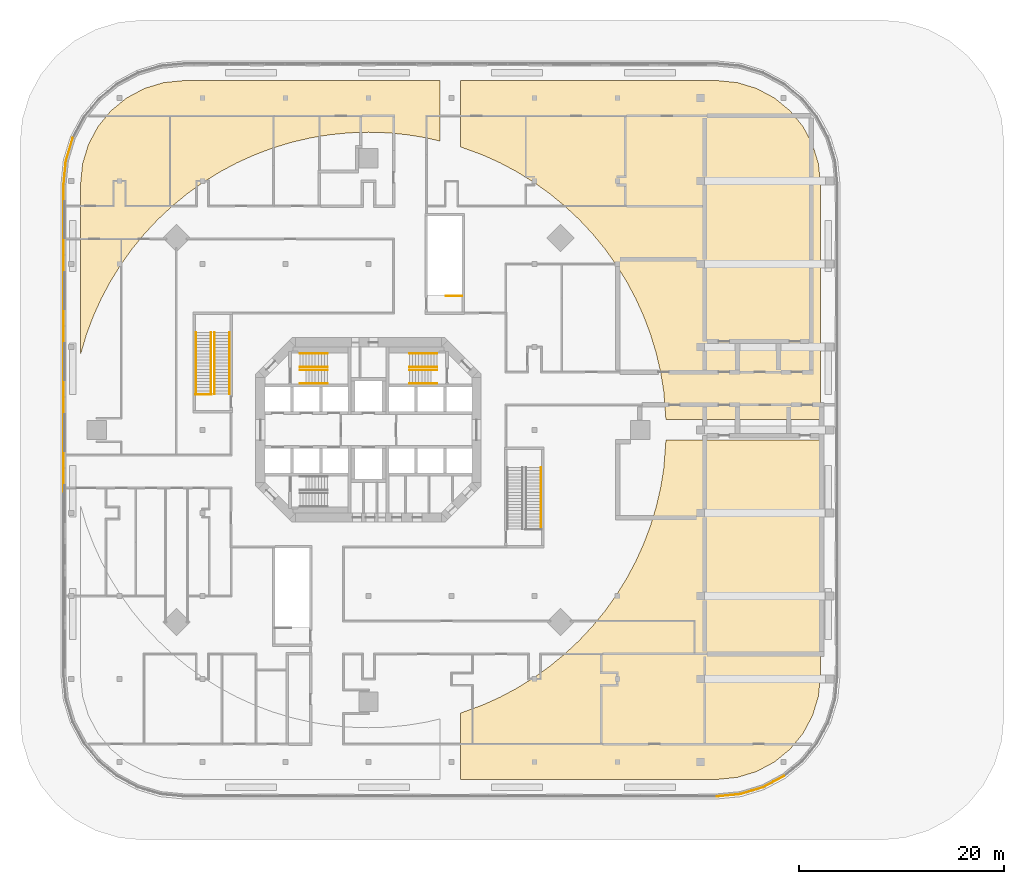
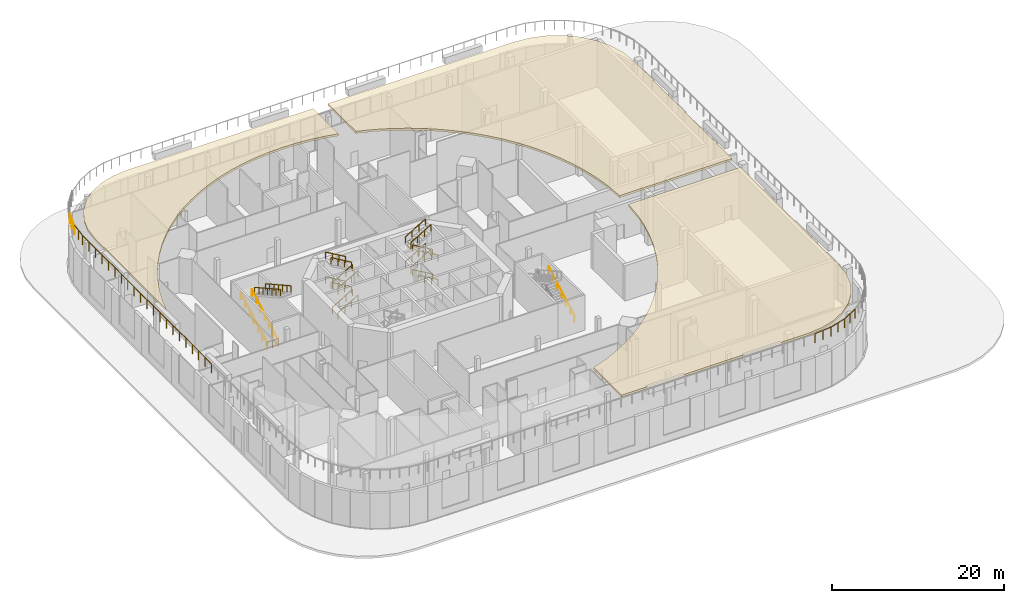
# One storey, part 16 of 17: 33 railings, 3 coverings, 2 elements without a shape of their own.
"""IFC4 building model written with IfcOpenShell, lengths in metres."""

from ifc_helpers import new_model, si_unit, direction, frame, origin, origin_2d, place, context, subcontext, project, spatial, polyline, rectangle, outline, extrude, material, layer, layer_set, type_object, element, aggregate, save


model = new_model("IFC4")

# Units and contexts
model_context = context("Model", 3, precision=1e-05, world=origin(), true_north=direction((0.0, 1.0)))
body_context = subcontext(model_context, "Body", "Model", "MODEL_VIEW")
ifc_project = project(units=[si_unit("LENGTHUNIT", "METRE"), si_unit("AREAUNIT", "SQUARE_METRE"), si_unit("VOLUMEUNIT", "CUBIC_METRE"), si_unit("PLANEANGLEUNIT", "RADIAN"), si_unit("MASSUNIT", "GRAM", prefix="KILO")], contexts=[model_context])

# Site, building, storey
site_placement = place(None, origin())
site = spatial("IfcSite", under=ifc_project, at=site_placement, CompositionType="ELEMENT")
building_placement = place(site_placement, origin())
building = spatial("IfcBuilding", under=site, at=building_placement, Name="Torre Triforio", CompositionType="ELEMENT")
storey_placement = place(building_placement, frame((0.0, 0.0, 13.0)))
storey = spatial("IfcBuildingStorey", under=building, at=storey_placement, Name="L02", CompositionType="ELEMENT", Elevation=13.0)

# Railings
ifc_material_1 = material(Name="Stainless steel AISI 316", Category="steel")
railing_type_1 = type_object("IfcRailingType", Name="HANDRAIL 920", PredefinedType="HANDRAIL", material=ifc_material_1)
for number, where, name in (
    (1, (-6.699951171875, 4.550048828125, 0.175048828125), "Handrail ST1"),
    (2, (-6.699951171875, 5.85009765625, 0.175048828125), "Handrail ST1"),
):
    element("IfcRailing", number, at=place(storey_placement, frame(where)), inside=storey, type_object=railing_type_1, Name=name, PredefinedType="HANDRAIL", context=body_context, shape_type="SweptSolid", body=[
        extrude(rectangle(XDim=0.048095703125, YDim=0.048095703125, at=origin_2d()), frame((0.0, 0.0, 0.89599609375), z_axis=(0.863781733769, 0.0, 0.503866169142), x_axis=(0.0, 1.0, 0.0)), (0.0, 0.0, 1.0), 3.125732421875),
        extrude(rectangle(XDim=0.0419921875, YDim=0.0419921875, at=origin_2d()), origin(), (0.0, 0.0, 1.0), 0.871826171875),
        extrude(rectangle(XDim=0.0419921875, YDim=0.0419921875, at=origin_2d()), frame((0.89990234375, 0.0, 0.52490234375)), (0.0, 0.0, 1.0), 0.871826171875),
        extrude(rectangle(XDim=0.0419921875, YDim=0.0419921875, at=origin_2d()), frame((1.800048828125, 0.0, 1.050048828125)), (0.0, 0.0, 1.0), 0.871826171875),
        extrude(rectangle(XDim=0.0419921875, YDim=0.0419921875, at=origin_2d()), frame((2.699951171875, 0.0, 1.574951171875)), (0.0, 0.0, 1.0), 0.871826171875),
    ])
for number, where, name in (
    (3, (-4.0, 7.449951171875, 1.925048828125), "Handrail ST1"),
    (4, (-4.0, 6.14990234375, 1.925048828125), "Handrail ST1"),
):
    element("IfcRailing", number, at=place(storey_placement, frame(where)), inside=storey, type_object=railing_type_1, Name=name, PredefinedType="HANDRAIL", context=body_context, shape_type="SweptSolid", body=[
        extrude(rectangle(XDim=0.048095703125, YDim=0.048095703125, at=origin_2d()), frame((0.0, 0.0, 0.89599609375), z_axis=(-0.863781733769, 0.0, 0.503866169142), x_axis=(0.0, -1.0, 0.0)), (0.0, 0.0, 1.0), 3.125732421875),
        extrude(rectangle(XDim=0.0419921875, YDim=0.0419921875, at=origin_2d()), origin(), (0.0, 0.0, 1.0), 0.871826171875),
        extrude(rectangle(XDim=0.0419921875, YDim=0.0419921875, at=origin_2d()), frame((-0.89990234375, 0.0, 0.52490234375)), (0.0, 0.0, 1.0), 0.871826171875),
        extrude(rectangle(XDim=0.0419921875, YDim=0.0419921875, at=origin_2d()), frame((-1.800048828125, 0.0, 1.050048828125)), (0.0, 0.0, 1.0), 0.871826171875),
        extrude(rectangle(XDim=0.0419921875, YDim=0.0419921875, at=origin_2d()), frame((-2.699951171875, 0.0, 1.574951171875)), (0.0, 0.0, 1.0), 0.871826171875),
    ])
for number, where, name in (
    (5, (-6.699951171875, 4.550048828125, 3.675048828125), "Handrail ST1"),
    (6, (-6.699951171875, 5.85009765625, 3.675048828125), "Handrail ST1"),
):
    element("IfcRailing", number, at=place(storey_placement, frame(where)), inside=storey, type_object=railing_type_1, Name=name, PredefinedType="HANDRAIL", context=body_context, shape_type="SweptSolid", body=[
        extrude(rectangle(XDim=0.048095703125, YDim=0.048095703125, at=origin_2d()), frame((0.0, 0.0, 0.89599609375), z_axis=(0.863781733769, 0.0, 0.503866169142), x_axis=(0.0, 1.0, 0.0)), (0.0, 0.0, 1.0), 3.125732421875),
        extrude(rectangle(XDim=0.0419921875, YDim=0.0419921875, at=origin_2d()), origin(), (0.0, 0.0, 1.0), 0.871826171875),
        extrude(rectangle(XDim=0.0419921875, YDim=0.0419921875, at=origin_2d()), frame((0.89990234375, 0.0, 0.52490234375)), (0.0, 0.0, 1.0), 0.871826171875),
        extrude(rectangle(XDim=0.0419921875, YDim=0.0419921875, at=origin_2d()), frame((1.800048828125, 0.0, 1.050048828125)), (0.0, 0.0, 1.0), 0.871826171875),
        extrude(rectangle(XDim=0.0419921875, YDim=0.0419921875, at=origin_2d()), frame((2.699951171875, 0.0, 1.574951171875)), (0.0, 0.0, 1.0), 0.871826171875),
    ])
for number, where, name in (
    (7, (-4.0, 7.449951171875, 5.425048828125), "Handrail ST1"),
    (8, (-4.0, 6.14990234375, 5.425048828125), "Handrail ST1"),
    (9, (6.699951171875, 4.550048828125, 0.175048828125), "Handrail ST2"),
    (10, (6.699951171875, 5.85009765625, 0.175048828125), "Handrail ST2"),
):
    element("IfcRailing", number, at=place(storey_placement, frame(where)), inside=storey, type_object=railing_type_1, Name=name, PredefinedType="HANDRAIL", context=body_context, shape_type="SweptSolid", body=[
        extrude(rectangle(XDim=0.048095703125, YDim=0.048095703125, at=origin_2d()), frame((0.0, 0.0, 0.89599609375), z_axis=(-0.863781733769, 0.0, 0.503866169142), x_axis=(0.0, -1.0, 0.0)), (0.0, 0.0, 1.0), 3.125732421875),
        extrude(rectangle(XDim=0.0419921875, YDim=0.0419921875, at=origin_2d()), origin(), (0.0, 0.0, 1.0), 0.871826171875),
        extrude(rectangle(XDim=0.0419921875, YDim=0.0419921875, at=origin_2d()), frame((-0.89990234375, 0.0, 0.52490234375)), (0.0, 0.0, 1.0), 0.871826171875),
        extrude(rectangle(XDim=0.0419921875, YDim=0.0419921875, at=origin_2d()), frame((-1.800048828125, 0.0, 1.050048828125)), (0.0, 0.0, 1.0), 0.871826171875),
        extrude(rectangle(XDim=0.0419921875, YDim=0.0419921875, at=origin_2d()), frame((-2.699951171875, 0.0, 1.574951171875)), (0.0, 0.0, 1.0), 0.871826171875),
    ])
for number, where, name in (
    (11, (4.0, 7.449951171875, 1.925048828125), "Handrail ST2"),
    (12, (4.0, 6.14990234375, 1.925048828125), "Handrail ST2"),
):
    element("IfcRailing", number, at=place(storey_placement, frame(where)), inside=storey, type_object=railing_type_1, Name=name, PredefinedType="HANDRAIL", context=body_context, shape_type="SweptSolid", body=[
        extrude(rectangle(XDim=0.048095703125, YDim=0.048095703125, at=origin_2d()), frame((0.0, 0.0, 0.89599609375), z_axis=(0.863781733769, 0.0, 0.503866169142), x_axis=(0.0, 1.0, 0.0)), (0.0, 0.0, 1.0), 3.125732421875),
        extrude(rectangle(XDim=0.0419921875, YDim=0.0419921875, at=origin_2d()), origin(), (0.0, 0.0, 1.0), 0.871826171875),
        extrude(rectangle(XDim=0.0419921875, YDim=0.0419921875, at=origin_2d()), frame((0.89990234375, 0.0, 0.52490234375)), (0.0, 0.0, 1.0), 0.871826171875),
        extrude(rectangle(XDim=0.0419921875, YDim=0.0419921875, at=origin_2d()), frame((1.800048828125, 0.0, 1.050048828125)), (0.0, 0.0, 1.0), 0.871826171875),
        extrude(rectangle(XDim=0.0419921875, YDim=0.0419921875, at=origin_2d()), frame((2.699951171875, 0.0, 1.574951171875)), (0.0, 0.0, 1.0), 0.871826171875),
    ])
for number, where, name in (
    (13, (6.699951171875, 4.550048828125, 3.675048828125), "Handrail ST2"),
    (14, (6.699951171875, 5.85009765625, 3.675048828125), "Handrail ST2"),
):
    element("IfcRailing", number, at=place(storey_placement, frame(where)), inside=storey, type_object=railing_type_1, Name=name, PredefinedType="HANDRAIL", context=body_context, shape_type="SweptSolid", body=[
        extrude(rectangle(XDim=0.048095703125, YDim=0.048095703125, at=origin_2d()), frame((0.0, 0.0, 0.89599609375), z_axis=(-0.863781733769, 0.0, 0.503866169142), x_axis=(0.0, -1.0, 0.0)), (0.0, 0.0, 1.0), 3.125732421875),
        extrude(rectangle(XDim=0.0419921875, YDim=0.0419921875, at=origin_2d()), origin(), (0.0, 0.0, 1.0), 0.871826171875),
        extrude(rectangle(XDim=0.0419921875, YDim=0.0419921875, at=origin_2d()), frame((-0.89990234375, 0.0, 0.52490234375)), (0.0, 0.0, 1.0), 0.871826171875),
        extrude(rectangle(XDim=0.0419921875, YDim=0.0419921875, at=origin_2d()), frame((-1.800048828125, 0.0, 1.050048828125)), (0.0, 0.0, 1.0), 0.871826171875),
        extrude(rectangle(XDim=0.0419921875, YDim=0.0419921875, at=origin_2d()), frame((-2.699951171875, 0.0, 1.574951171875)), (0.0, 0.0, 1.0), 0.871826171875),
    ])
for number, where, name in (
    (15, (4.0, 7.449951171875, 5.425048828125), "Handrail ST2"),
    (16, (4.0, 6.14990234375, 5.425048828125), "Handrail ST2"),
):
    element("IfcRailing", number, at=place(storey_placement, frame(where)), inside=storey, type_object=railing_type_1, Name=name, PredefinedType="HANDRAIL", context=body_context, shape_type="SweptSolid", body=[
        extrude(rectangle(XDim=0.048095703125, YDim=0.048095703125, at=origin_2d()), frame((0.0, 0.0, 0.89599609375), z_axis=(0.863781733769, 0.0, 0.503866169142), x_axis=(0.0, 1.0, 0.0)), (0.0, 0.0, 1.0), 3.125732421875),
        extrude(rectangle(XDim=0.0419921875, YDim=0.0419921875, at=origin_2d()), origin(), (0.0, 0.0, 1.0), 0.871826171875),
        extrude(rectangle(XDim=0.0419921875, YDim=0.0419921875, at=origin_2d()), frame((0.89990234375, 0.0, 0.52490234375)), (0.0, 0.0, 1.0), 0.871826171875),
        extrude(rectangle(XDim=0.0419921875, YDim=0.0419921875, at=origin_2d()), frame((1.800048828125, 0.0, 1.050048828125)), (0.0, 0.0, 1.0), 0.871826171875),
        extrude(rectangle(XDim=0.0419921875, YDim=0.0419921875, at=origin_2d()), frame((2.699951171875, 0.0, 1.574951171875)), (0.0, 0.0, 1.0), 0.871826171875),
    ])

# Coverings
ifc_material_2 = material(Name="Planted topsoil bed")
ifc_layer = layer(ifc_material_2, 0.300048828125)
ifc_layer_set = layer_set([ifc_layer], Name="Planted topsoil bed")
covering_type = type_object("IfcCoveringType", Name="Planted bed 300", PredefinedType="FLOORING", material=ifc_layer_set)
covering_1_placement = place(storey_placement, frame((0.0, 0.0, 7.0)))
element("IfcCovering", 17, at=covering_1_placement, inside=storey, type_object=covering_type, Name="Terrace T3 planted bed 2", PredefinedType="FLOORING", context=body_context, shape_type="SweptSolid", body=[
    extrude(outline(polyline([(5.66748046875, 28.492919921875), (3.7919921875, 28.802490234375), (1.89990234375, 28.989013671875), (0.0, 29.051025390625), (-1.89990234375, 28.989013671875), (-3.7919921875, 28.802490234375), (-5.66748046875, 28.492919921875), (-7.51904296875, 28.061279296875), (-9.338134765625, 27.50927734375), (-11.117431640625, 26.839599609375), (-12.84912109375, 26.05517578125), (-14.525390625, 25.158935546875), (-16.139892578125, 24.155029296875), (-17.685302734375, 23.0478515625), (-19.15478515625, 21.841796875), (-20.542236328125, 20.542236328125), (-21.841796875, 19.15478515625), (-23.0478515625, 17.685302734375), (-24.155029296875, 16.139892578125), (-25.158935546875, 14.525390625), (-26.05517578125, 12.84912109375), (-26.839599609375, 11.117431640625), (-27.50927734375, 9.338134765625), (-28.10009765625, 7.3525390625), (-28.10009765625, 23.90673828125), (-27.89697265625, 25.968505859375), (-27.32275390625, 27.861572265625), (-26.39013671875, 29.606201171875), (-25.13525390625, 31.13525390625), (-23.606201171875, 32.39013671875), (-21.861572265625, 33.32275390625), (-19.968505859375, 33.89697265625), (-17.90673828125, 34.10009765625), (7.0, 34.10009765625), (7.0, 28.18212890625), (5.66748046875, 28.492919921875)])), origin(), (0.0, 0.0, 1.0), 0.300048828125),
])
covering_2_placement = place(storey_placement, frame((0.0, 0.0, 7.0)))
element("IfcCovering", 18, at=covering_2_placement, inside=storey, type_object=covering_type, Name="Terrace T3 planted bed 3", PredefinedType="FLOORING", context=body_context, shape_type="SweptSolid", body=[
    extrude(outline(polyline([(9.0, -27.61181640625), (11.117431640625, -26.839599609375), (12.84912109375, -26.05517578125), (14.525390625, -25.158935546875), (16.139892578125, -24.155029296875), (17.685302734375, -23.0478515625), (19.15478515625, -21.841796875), (20.542236328125, -20.542236328125), (21.841796875, -19.15478515625), (23.0478515625, -17.685302734375), (24.155029296875, -16.139892578125), (25.158935546875, -14.525390625), (26.05517578125, -12.84912109375), (26.839599609375, -11.117431640625), (27.50927734375, -9.338134765625), (28.061279296875, -7.51904296875), (28.492919921875, -5.66748046875), (28.802490234375, -3.7919921875), (29.018310546875, -1.0), (44.10009765625, -1.0), (44.10009765625, -23.90673828125), (43.89697265625, -25.968505859375), (43.32275390625, -27.861572265625), (42.39013671875, -29.606201171875), (41.13525390625, -31.13525390625), (39.606201171875, -32.39013671875), (37.861572265625, -33.32275390625), (35.968505859375, -33.89697265625), (33.90673828125, -34.10009765625), (9.0, -34.10009765625), (9.0, -27.61181640625)])), origin(), (0.0, 0.0, 1.0), 0.300048828125),
])
covering_3_placement = place(storey_placement, frame((0.0, 0.0, 7.0)))
element("IfcCovering", 19, at=covering_3_placement, inside=storey, type_object=covering_type, Name="Terrace T3 planted bed 4", PredefinedType="FLOORING", context=body_context, shape_type="SweptSolid", body=[
    extrude(outline(polyline([(28.802490234375, 3.7919921875), (28.492919921875, 5.66748046875), (28.061279296875, 7.51904296875), (27.50927734375, 9.338134765625), (26.839599609375, 11.117431640625), (26.05517578125, 12.84912109375), (25.158935546875, 14.525390625), (24.155029296875, 16.139892578125), (23.0478515625, 17.685302734375), (21.841796875, 19.15478515625), (20.542236328125, 20.542236328125), (19.15478515625, 21.841796875), (17.685302734375, 23.0478515625), (16.139892578125, 24.155029296875), (14.525390625, 25.158935546875), (12.84912109375, 26.05517578125), (11.117431640625, 26.839599609375), (9.0, 27.61181640625), (9.0, 34.10009765625), (33.90673828125, 34.10009765625), (35.968505859375, 33.89697265625), (37.861572265625, 33.32275390625), (39.606201171875, 32.39013671875), (41.13525390625, 31.13525390625), (42.39013671875, 29.606201171875), (43.32275390625, 27.861572265625), (43.89697265625, 25.968505859375), (44.10009765625, 23.90673828125), (44.10009765625, 1.0), (29.018310546875, 1.0), (28.802490234375, 3.7919921875)])), origin(), (0.0, 0.0, 1.0), 0.300048828125),
])

# Stair, railings
ifc_material_3 = material(Name="Concrete C40", Category="concrete")
stair_type = type_object("IfcStairType", Name="Egress stair 1400 clear", PredefinedType="NOTDEFINED", material=ifc_material_3)
stair_1_placement = place(storey_placement, origin())
stair_1 = element("IfcStair", 20, at=stair_1_placement, inside=storey, type_object=stair_type, Name="Exit stair PS1 L02 to L03", PredefinedType="NOTDEFINED")
railing_type_2 = type_object("IfcRailingType", Name="Stair handrail 920", PredefinedType="HANDRAIL", material=ifc_material_1)
railing_1_placement = place(storey_placement, frame((-16.824951171875, 3.52490234375, 0.166748046875)))
railing_1 = element("IfcRailing", 21, at=railing_1_placement, type_object=railing_type_2, Name="Handrail PS1", PredefinedType="HANDRAIL", context=body_context, shape_type="SweptSolid", body=[
    extrude(rectangle(XDim=0.048095703125, YDim=0.048095703125, at=origin_2d()), frame((0.0, 0.0, 0.89599609375), z_axis=(0.0, 0.874162309531, 0.485633870932), x_axis=(-1.0, 0.0, 0.0)), (0.0, 0.0, 1.0), 6.86376953125),
    extrude(rectangle(XDim=0.0419921875, YDim=0.0419921875, at=origin_2d()), origin(), (0.0, 0.0, 1.0), 0.871826171875),
    extrude(rectangle(XDim=0.0419921875, YDim=0.0419921875, at=origin_2d()), frame((0.0, 1.0, 0.5556640625)), (0.0, 0.0, 1.0), 0.871826171875),
    extrude(rectangle(XDim=0.0419921875, YDim=0.0419921875, at=origin_2d()), frame((0.0, 2.0, 1.111083984375)), (0.0, 0.0, 1.0), 0.871826171875),
    extrude(rectangle(XDim=0.0419921875, YDim=0.0419921875, at=origin_2d()), frame((0.0, 3.0, 1.66650390625)), (0.0, 0.0, 1.0), 0.871826171875),
    extrude(rectangle(XDim=0.0419921875, YDim=0.0419921875, at=origin_2d()), frame((0.0, 4.0, 2.22216796875)), (0.0, 0.0, 1.0), 0.871826171875),
    extrude(rectangle(XDim=0.0419921875, YDim=0.0419921875, at=origin_2d()), frame((0.0, 5.0, 2.77783203125)), (0.0, 0.0, 1.0), 0.871826171875),
    extrude(rectangle(XDim=0.0419921875, YDim=0.0419921875, at=origin_2d()), frame((0.0, 6.0, 3.333251953125)), (0.0, 0.0, 1.0), 0.871826171875),
])
railing_2_placement = place(storey_placement, frame((-15.375, 3.52490234375, 0.166748046875)))
railing_2 = element("IfcRailing", 22, at=railing_2_placement, type_object=railing_type_2, Name="Handrail PS1", PredefinedType="HANDRAIL", context=body_context, shape_type="SweptSolid", body=[
    extrude(rectangle(XDim=0.048095703125, YDim=0.048095703125, at=origin_2d()), frame((0.0, 0.0, 0.89599609375), z_axis=(0.0, 0.874162309531, 0.485633870932), x_axis=(-1.0, 0.0, 0.0)), (0.0, 0.0, 1.0), 6.86376953125),
    extrude(rectangle(XDim=0.0419921875, YDim=0.0419921875, at=origin_2d()), origin(), (0.0, 0.0, 1.0), 0.871826171875),
    extrude(rectangle(XDim=0.0419921875, YDim=0.0419921875, at=origin_2d()), frame((0.0, 1.0, 0.5556640625)), (0.0, 0.0, 1.0), 0.871826171875),
    extrude(rectangle(XDim=0.0419921875, YDim=0.0419921875, at=origin_2d()), frame((0.0, 2.0, 1.111083984375)), (0.0, 0.0, 1.0), 0.871826171875),
    extrude(rectangle(XDim=0.0419921875, YDim=0.0419921875, at=origin_2d()), frame((0.0, 3.0, 1.66650390625)), (0.0, 0.0, 1.0), 0.871826171875),
    extrude(rectangle(XDim=0.0419921875, YDim=0.0419921875, at=origin_2d()), frame((0.0, 4.0, 2.22216796875)), (0.0, 0.0, 1.0), 0.871826171875),
    extrude(rectangle(XDim=0.0419921875, YDim=0.0419921875, at=origin_2d()), frame((0.0, 5.0, 2.77783203125)), (0.0, 0.0, 1.0), 0.871826171875),
    extrude(rectangle(XDim=0.0419921875, YDim=0.0419921875, at=origin_2d()), frame((0.0, 6.0, 3.333251953125)), (0.0, 0.0, 1.0), 0.871826171875),
])
railing_3_placement = place(storey_placement, frame((-15.02490234375, 9.52490234375, 3.666748046875)))
railing_3 = element("IfcRailing", 23, at=railing_3_placement, type_object=railing_type_2, Name="Handrail PS1", PredefinedType="HANDRAIL", context=body_context, shape_type="SweptSolid", body=[
    extrude(rectangle(XDim=0.048095703125, YDim=0.048095703125, at=origin_2d()), frame((0.0, 0.0, 0.89599609375), z_axis=(0.0, -0.874162309531, 0.485633870932), x_axis=(1.0, 0.0, 0.0)), (0.0, 0.0, 1.0), 6.86376953125),
    extrude(rectangle(XDim=0.0419921875, YDim=0.0419921875, at=origin_2d()), origin(), (0.0, 0.0, 1.0), 0.871826171875),
    extrude(rectangle(XDim=0.0419921875, YDim=0.0419921875, at=origin_2d()), frame((0.0, -1.0, 0.5556640625)), (0.0, 0.0, 1.0), 0.871826171875),
    extrude(rectangle(XDim=0.0419921875, YDim=0.0419921875, at=origin_2d()), frame((0.0, -2.0, 1.111083984375)), (0.0, 0.0, 1.0), 0.871826171875),
    extrude(rectangle(XDim=0.0419921875, YDim=0.0419921875, at=origin_2d()), frame((0.0, -3.0, 1.66650390625)), (0.0, 0.0, 1.0), 0.871826171875),
    extrude(rectangle(XDim=0.0419921875, YDim=0.0419921875, at=origin_2d()), frame((0.0, -4.0, 2.22216796875)), (0.0, 0.0, 1.0), 0.871826171875),
    extrude(rectangle(XDim=0.0419921875, YDim=0.0419921875, at=origin_2d()), frame((0.0, -5.0, 2.77783203125)), (0.0, 0.0, 1.0), 0.871826171875),
    extrude(rectangle(XDim=0.0419921875, YDim=0.0419921875, at=origin_2d()), frame((0.0, -6.0, 3.333251953125)), (0.0, 0.0, 1.0), 0.871826171875),
])
railing_4_placement = place(storey_placement, frame((-13.574951171875, 9.52490234375, 3.666748046875)))
railing_4 = element("IfcRailing", 24, at=railing_4_placement, type_object=railing_type_2, Name="Handrail PS1", PredefinedType="HANDRAIL", context=body_context, shape_type="SweptSolid", body=[
    extrude(rectangle(XDim=0.048095703125, YDim=0.048095703125, at=origin_2d()), frame((0.0, 0.0, 0.89599609375), z_axis=(0.0, -0.874162309531, 0.485633870932), x_axis=(1.0, 0.0, 0.0)), (0.0, 0.0, 1.0), 6.86376953125),
    extrude(rectangle(XDim=0.0419921875, YDim=0.0419921875, at=origin_2d()), origin(), (0.0, 0.0, 1.0), 0.871826171875),
    extrude(rectangle(XDim=0.0419921875, YDim=0.0419921875, at=origin_2d()), frame((0.0, -1.0, 0.5556640625)), (0.0, 0.0, 1.0), 0.871826171875),
    extrude(rectangle(XDim=0.0419921875, YDim=0.0419921875, at=origin_2d()), frame((0.0, -2.0, 1.111083984375)), (0.0, 0.0, 1.0), 0.871826171875),
    extrude(rectangle(XDim=0.0419921875, YDim=0.0419921875, at=origin_2d()), frame((0.0, -3.0, 1.66650390625)), (0.0, 0.0, 1.0), 0.871826171875),
    extrude(rectangle(XDim=0.0419921875, YDim=0.0419921875, at=origin_2d()), frame((0.0, -4.0, 2.22216796875)), (0.0, 0.0, 1.0), 0.871826171875),
    extrude(rectangle(XDim=0.0419921875, YDim=0.0419921875, at=origin_2d()), frame((0.0, -5.0, 2.77783203125)), (0.0, 0.0, 1.0), 0.871826171875),
    extrude(rectangle(XDim=0.0419921875, YDim=0.0419921875, at=origin_2d()), frame((0.0, -6.0, 3.333251953125)), (0.0, 0.0, 1.0), 0.871826171875),
])
aggregate(stair_1, [railing_1, railing_2, railing_3, railing_4])

# Stair, railing
stair_2_placement = place(storey_placement, origin())
stair_2 = element("IfcStair", 25, at=stair_2_placement, inside=storey, type_object=stair_type, Name="Exit stair PS2 L02 to L03", PredefinedType="NOTDEFINED")
railing_5_placement = place(storey_placement, frame((16.824951171875, -9.675048828125, 0.166748046875)))
railing_5 = element("IfcRailing", 26, at=railing_5_placement, type_object=railing_type_2, Name="Handrail PS2", PredefinedType="HANDRAIL", context=body_context, shape_type="SweptSolid", body=[
    extrude(rectangle(XDim=0.048095703125, YDim=0.048095703125, at=origin_2d()), frame((0.0, 0.0, 0.89599609375), z_axis=(0.0, 0.874162309531, 0.485633870932), x_axis=(-1.0, 0.0, 0.0)), (0.0, 0.0, 1.0), 6.86376953125),
    extrude(rectangle(XDim=0.0419921875, YDim=0.0419921875, at=origin_2d()), origin(), (0.0, 0.0, 1.0), 0.871826171875),
    extrude(rectangle(XDim=0.0419921875, YDim=0.0419921875, at=origin_2d()), frame((0.0, 1.0, 0.5556640625)), (0.0, 0.0, 1.0), 0.871826171875),
    extrude(rectangle(XDim=0.0419921875, YDim=0.0419921875, at=origin_2d()), frame((0.0, 2.0, 1.111083984375)), (0.0, 0.0, 1.0), 0.871826171875),
    extrude(rectangle(XDim=0.0419921875, YDim=0.0419921875, at=origin_2d()), frame((0.0, 3.0, 1.66650390625)), (0.0, 0.0, 1.0), 0.871826171875),
    extrude(rectangle(XDim=0.0419921875, YDim=0.0419921875, at=origin_2d()), frame((0.0, 4.0, 2.22216796875)), (0.0, 0.0, 1.0), 0.871826171875),
    extrude(rectangle(XDim=0.0419921875, YDim=0.0419921875, at=origin_2d()), frame((0.0, 5.0, 2.77783203125)), (0.0, 0.0, 1.0), 0.871826171875),
    extrude(rectangle(XDim=0.0419921875, YDim=0.0419921875, at=origin_2d()), frame((0.0, 6.0, 3.333251953125)), (0.0, 0.0, 1.0), 0.871826171875),
])
aggregate(stair_2, [railing_5])

# Railings
railing_type_3 = type_object("IfcRailingType", Name="Stair well guard 1100", PredefinedType="GUARDRAIL", material=ifc_material_1)
for number, where, name in (
    (27, (-16.875, 3.47509765625, 0.0), "Guard PS1 L02"),
    (28, (7.574951171875, 13.074951171875, 0.0), "Guard PS4 L02"),
):
    element("IfcRailing", number, at=place(storey_placement, frame(where)), inside=storey, type_object=railing_type_3, Name=name, PredefinedType="GUARDRAIL", context=body_context, shape_type="SweptSolid", body=[
        extrude(rectangle(XDim=0.048095703125, YDim=0.048095703125, at=origin_2d()), frame((0.0, 0.0, 1.076171875), z_axis=(1.0, 0.0, 0.0), x_axis=(0.0, 1.0, 0.0)), (0.0, 0.0, 1.0), 1.550048828125),
        extrude(rectangle(XDim=0.0419921875, YDim=0.0419921875, at=origin_2d()), origin(), (0.0, 0.0, 1.0), 1.052001953125),
        extrude(rectangle(XDim=0.0419921875, YDim=0.0419921875, at=origin_2d()), frame((0.77490234375, 0.0, 0.0)), (0.0, 0.0, 1.0), 1.052001953125),
        extrude(rectangle(XDim=0.0419921875, YDim=0.0419921875, at=origin_2d()), frame((1.550048828125, 0.0, 0.0)), (0.0, 0.0, 1.0), 1.052001953125),
    ])
railing_type_4 = type_object("IfcRailingType", Name="Terrace balustrade 1300", PredefinedType="BALUSTRADE", material=ifc_material_1)
railing_6_placement = place(storey_placement, frame((33.98779296875, -35.75, 7.0)))
element("IfcRailing", 29, at=railing_6_placement, inside=storey, type_object=railing_type_4, Name="Terrace T3 balustrade 01", PredefinedType="BALUSTRADE", context=body_context, shape_type="SweptSolid", body=[
    extrude(rectangle(XDim=0.050048828125, YDim=0.050048828125, at=origin_2d()), frame((0.0, 0.0, 1.27490234375), z_axis=(0.99518021916, 0.098062895086, 0.0), x_axis=(-0.098062895086, 0.99518021916, 0.0)), (0.0, 0.0, 1.0), 2.3154296875),
    extrude(rectangle(XDim=0.0400390625, YDim=0.0400390625, at=origin_2d()), origin(), (0.0, 0.0, 1.0), 1.25),
    extrude(rectangle(XDim=0.0400390625, YDim=0.0400390625, at=origin_2d()), frame((1.152099609375, 0.113525390625, 0.0)), (0.0, 0.0, 1.0), 1.25),
    extrude(rectangle(XDim=0.0400390625, YDim=0.0400390625, at=origin_2d()), frame((2.30419921875, 0.22705078125, 0.0)), (0.0, 0.0, 1.0), 1.25),
])
railing_7_placement = place(storey_placement, frame((36.2919921875, -35.52294921875, 7.0)))
element("IfcRailing", 30, at=railing_7_placement, inside=storey, type_object=railing_type_4, Name="Terrace T3 balustrade 02", PredefinedType="BALUSTRADE", context=body_context, shape_type="SweptSolid", body=[
    extrude(rectangle(XDim=0.050048828125, YDim=0.050048828125, at=origin_2d()), frame((0.0, 0.0, 1.27490234375), z_axis=(0.956958408929, 0.290225091232, 0.0), x_axis=(-0.290225091232, 0.956958408929, 0.0)), (0.0, 0.0, 1.0), 2.30322265625),
    extrude(rectangle(XDim=0.0400390625, YDim=0.0400390625, at=origin_2d()), origin(), (0.0, 0.0, 1.0), 1.25),
    extrude(rectangle(XDim=0.0400390625, YDim=0.0400390625, at=origin_2d()), frame((1.10205078125, 0.334228515625, 0.0)), (0.0, 0.0, 1.0), 1.25),
    extrude(rectangle(XDim=0.0400390625, YDim=0.0400390625, at=origin_2d()), frame((2.2041015625, 0.66845703125, 0.0)), (0.0, 0.0, 1.0), 1.25),
])
railing_8_placement = place(storey_placement, frame((38.49609375, -34.8544921875, 7.0)))
element("IfcRailing", 31, at=railing_8_placement, inside=storey, type_object=railing_type_4, Name="Terrace T3 balustrade 03", PredefinedType="BALUSTRADE", context=body_context, shape_type="SweptSolid", body=[
    extrude(rectangle(XDim=0.050048828125, YDim=0.050048828125, at=origin_2d()), frame((0.0, 0.0, 1.27490234375), z_axis=(0.881927109982, 0.471385800251, 0.0), x_axis=(-0.471385800251, 0.881927109982, 0.0)), (0.0, 0.0, 1.0), 2.30322265625),
    extrude(rectangle(XDim=0.0400390625, YDim=0.0400390625, at=origin_2d()), origin(), (0.0, 0.0, 1.0), 1.25),
    extrude(rectangle(XDim=0.0400390625, YDim=0.0400390625, at=origin_2d()), frame((1.015625, 0.54296875, 0.0)), (0.0, 0.0, 1.0), 1.25),
    extrude(rectangle(XDim=0.0400390625, YDim=0.0400390625, at=origin_2d()), frame((2.03125, 1.085693359375, 0.0)), (0.0, 0.0, 1.0), 1.25),
])
railing_9_placement = place(storey_placement, frame((-28.8544921875, 28.49609375, 7.0)))
element("IfcRailing", 32, at=railing_9_placement, inside=storey, type_object=railing_type_4, Name="Terrace T3 balustrade 25", PredefinedType="BALUSTRADE", context=body_context, shape_type="SweptSolid", body=[
    extrude(rectangle(XDim=0.050048828125, YDim=0.050048828125, at=origin_2d()), frame((0.0, 0.0, 1.27490234375), z_axis=(-0.290225091232, -0.956958408929, 0.0), x_axis=(0.956958408929, -0.290225091232, 0.0)), (0.0, 0.0, 1.0), 2.30322265625),
    extrude(rectangle(XDim=0.0400390625, YDim=0.0400390625, at=origin_2d()), origin(), (0.0, 0.0, 1.0), 1.25),
    extrude(rectangle(XDim=0.0400390625, YDim=0.0400390625, at=origin_2d()), frame((-0.334228515625, -1.10205078125, 0.0)), (0.0, 0.0, 1.0), 1.25),
    extrude(rectangle(XDim=0.0400390625, YDim=0.0400390625, at=origin_2d()), frame((-0.66845703125, -2.2041015625, 0.0)), (0.0, 0.0, 1.0), 1.25),
])
railing_10_placement = place(storey_placement, frame((-29.52294921875, 26.2919921875, 7.0)))
element("IfcRailing", 33, at=railing_10_placement, inside=storey, type_object=railing_type_4, Name="Terrace T3 balustrade 26", PredefinedType="BALUSTRADE", context=body_context, shape_type="SweptSolid", body=[
    extrude(rectangle(XDim=0.050048828125, YDim=0.050048828125, at=origin_2d()), frame((0.0, 0.0, 1.27490234375), z_axis=(-0.098062895086, -0.99518021916, 0.0), x_axis=(0.99518021916, -0.098062895086, 0.0)), (0.0, 0.0, 1.0), 2.3154296875),
    extrude(rectangle(XDim=0.0400390625, YDim=0.0400390625, at=origin_2d()), origin(), (0.0, 0.0, 1.0), 1.25),
    extrude(rectangle(XDim=0.0400390625, YDim=0.0400390625, at=origin_2d()), frame((-0.113525390625, -1.152099609375, 0.0)), (0.0, 0.0, 1.0), 1.25),
    extrude(rectangle(XDim=0.0400390625, YDim=0.0400390625, at=origin_2d()), frame((-0.22705078125, -2.30419921875, 0.0)), (0.0, 0.0, 1.0), 1.25),
])
railing_11_placement = place(storey_placement, frame((-29.75, 23.98779296875, 7.0)))
element("IfcRailing", 34, at=railing_11_placement, inside=storey, type_object=railing_type_4, Name="Terrace T3 balustrade 27.1", PredefinedType="BALUSTRADE", context=body_context, shape_type="SweptSolid", body=[
    extrude(rectangle(XDim=0.050048828125, YDim=0.050048828125, at=origin_2d()), frame((0.0, 0.0, 1.27490234375), z_axis=(0.0, -1.0, 0.0), x_axis=(1.0, 0.0, 0.0)), (0.0, 0.0, 1.0), 5.9970703125),
    extrude(rectangle(XDim=0.0400390625, YDim=0.0400390625, at=origin_2d()), origin(), (0.0, 0.0, 1.0), 1.25),
    extrude(rectangle(XDim=0.0400390625, YDim=0.0400390625, at=origin_2d()), frame((0.0, -1.499267578125, 0.0)), (0.0, 0.0, 1.0), 1.25),
    extrude(rectangle(XDim=0.0400390625, YDim=0.0400390625, at=origin_2d()), frame((0.0, -2.99853515625, 0.0)), (0.0, 0.0, 1.0), 1.25),
    extrude(rectangle(XDim=0.0400390625, YDim=0.0400390625, at=origin_2d()), frame((0.0, -4.497802734375, 0.0)), (0.0, 0.0, 1.0), 1.25),
    extrude(rectangle(XDim=0.0400390625, YDim=0.0400390625, at=origin_2d()), frame((0.0, -5.9970703125, 0.0)), (0.0, 0.0, 1.0), 1.25),
])
railing_12_placement = place(storey_placement, frame((-29.75, 17.99072265625, 7.0)))
element("IfcRailing", 35, at=railing_12_placement, inside=storey, type_object=railing_type_4, Name="Terrace T3 balustrade 27.2", PredefinedType="BALUSTRADE", context=body_context, shape_type="SweptSolid", body=[
    extrude(rectangle(XDim=0.050048828125, YDim=0.050048828125, at=origin_2d()), frame((0.0, 0.0, 1.27490234375), z_axis=(0.0, -1.0, 0.0), x_axis=(1.0, 0.0, 0.0)), (0.0, 0.0, 1.0), 5.996826171875),
    extrude(rectangle(XDim=0.0400390625, YDim=0.0400390625, at=origin_2d()), origin(), (0.0, 0.0, 1.0), 1.25),
    extrude(rectangle(XDim=0.0400390625, YDim=0.0400390625, at=origin_2d()), frame((0.0, -1.499267578125, 0.0)), (0.0, 0.0, 1.0), 1.25),
    extrude(rectangle(XDim=0.0400390625, YDim=0.0400390625, at=origin_2d()), frame((0.0, -2.99853515625, 0.0)), (0.0, 0.0, 1.0), 1.25),
    extrude(rectangle(XDim=0.0400390625, YDim=0.0400390625, at=origin_2d()), frame((0.0, -4.49755859375, 0.0)), (0.0, 0.0, 1.0), 1.25),
    extrude(rectangle(XDim=0.0400390625, YDim=0.0400390625, at=origin_2d()), frame((0.0, -5.996826171875, 0.0)), (0.0, 0.0, 1.0), 1.25),
])
railing_13_placement = place(storey_placement, frame((-29.75, 11.993896484375, 7.0)))
element("IfcRailing", 36, at=railing_13_placement, inside=storey, type_object=railing_type_4, Name="Terrace T3 balustrade 27.3", PredefinedType="BALUSTRADE", context=body_context, shape_type="SweptSolid", body=[
    extrude(rectangle(XDim=0.050048828125, YDim=0.050048828125, at=origin_2d()), frame((0.0, 0.0, 1.27490234375), z_axis=(0.0, -1.0, 0.0), x_axis=(1.0, 0.0, 0.0)), (0.0, 0.0, 1.0), 5.9970703125),
    extrude(rectangle(XDim=0.0400390625, YDim=0.0400390625, at=origin_2d()), origin(), (0.0, 0.0, 1.0), 1.25),
    extrude(rectangle(XDim=0.0400390625, YDim=0.0400390625, at=origin_2d()), frame((0.0, -1.499267578125, 0.0)), (0.0, 0.0, 1.0), 1.25),
    extrude(rectangle(XDim=0.0400390625, YDim=0.0400390625, at=origin_2d()), frame((0.0, -2.99853515625, 0.0)), (0.0, 0.0, 1.0), 1.25),
    extrude(rectangle(XDim=0.0400390625, YDim=0.0400390625, at=origin_2d()), frame((0.0, -4.497802734375, 0.0)), (0.0, 0.0, 1.0), 1.25),
    extrude(rectangle(XDim=0.0400390625, YDim=0.0400390625, at=origin_2d()), frame((0.0, -5.9970703125, 0.0)), (0.0, 0.0, 1.0), 1.25),
])
for number, where, name in (
    (37, (-29.75, 5.996826171875, 7.0), "Terrace T3 balustrade 27.4"),
    (38, (-29.75, 0.0, 7.0), "Terrace T3 balustrade 27.5"),
):
    element("IfcRailing", number, at=place(storey_placement, frame(where)), inside=storey, type_object=railing_type_4, Name=name, PredefinedType="BALUSTRADE", context=body_context, shape_type="SweptSolid", body=[
        extrude(rectangle(XDim=0.050048828125, YDim=0.050048828125, at=origin_2d()), frame((0.0, 0.0, 1.27490234375), z_axis=(0.0, -1.0, 0.0), x_axis=(1.0, 0.0, 0.0)), (0.0, 0.0, 1.0), 5.996826171875),
        extrude(rectangle(XDim=0.0400390625, YDim=0.0400390625, at=origin_2d()), origin(), (0.0, 0.0, 1.0), 1.25),
        extrude(rectangle(XDim=0.0400390625, YDim=0.0400390625, at=origin_2d()), frame((0.0, -1.499267578125, 0.0)), (0.0, 0.0, 1.0), 1.25),
        extrude(rectangle(XDim=0.0400390625, YDim=0.0400390625, at=origin_2d()), frame((0.0, -2.99853515625, 0.0)), (0.0, 0.0, 1.0), 1.25),
        extrude(rectangle(XDim=0.0400390625, YDim=0.0400390625, at=origin_2d()), frame((0.0, -4.49755859375, 0.0)), (0.0, 0.0, 1.0), 1.25),
        extrude(rectangle(XDim=0.0400390625, YDim=0.0400390625, at=origin_2d()), frame((0.0, -5.996826171875, 0.0)), (0.0, 0.0, 1.0), 1.25),
    ])

save(model, "model.ifc")
